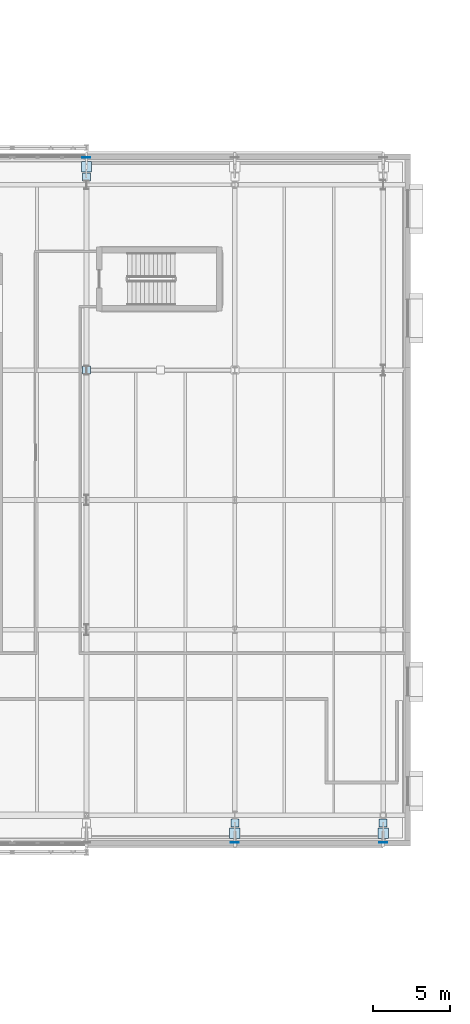
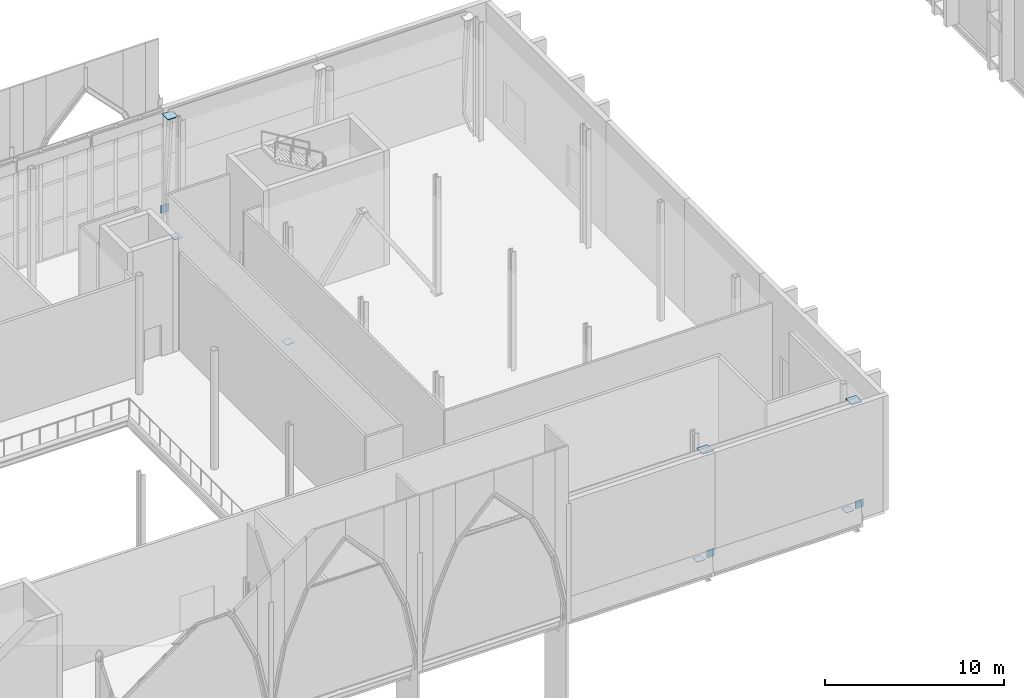
# One storey, part 49 of 79: 10 plates.
"""IFC4 building model written with IfcOpenShell, lengths in metres."""

from ifc_helpers import new_model, si_unit, direction, frame, origin, origin_2d, place, context, subcontext, project, spatial, rectangle, extrude, material, layer, layer_set, type_object, element, save


model = new_model("IFC4")

# Units and contexts
model_context = context("Model", 3, precision=1e-05, world=origin(), true_north=direction((0.0, 1.0)))
body_context = subcontext(model_context, "Body", "Model", "MODEL_VIEW")
ifc_project = project(units=[si_unit("LENGTHUNIT", "METRE"), si_unit("AREAUNIT", "SQUARE_METRE"), si_unit("VOLUMEUNIT", "CUBIC_METRE"), si_unit("PLANEANGLEUNIT", "RADIAN"), si_unit("MASSUNIT", "GRAM", prefix="KILO")], contexts=[model_context])

# Site, building, storey
site_placement = place(None, origin())
site = spatial("IfcSite", under=ifc_project, at=site_placement, CompositionType="ELEMENT")
building_placement = place(site_placement, origin())
building = spatial("IfcBuilding", under=site, at=building_placement, Name="Zereglee Splitstone Museum", CompositionType="ELEMENT")
storey_placement = place(building_placement, frame((0.0, 0.0, 9.0)))
storey = spatial("IfcBuildingStorey", under=building, at=storey_placement, Name="L02", CompositionType="ELEMENT", Elevation=9.0)

# Plates
ifc_material = material(Name="Steel S355J2", Category="steel")
ifc_layer_1 = layer(ifc_material, 0.030029296875)
ifc_layer_set_1 = layer_set([ifc_layer_1], Name="Steel S355J2")
plate_type_1 = type_object("IfcPlateType", Name="NP-04", PredefinedType="SHEET", material=ifc_layer_set_1)
for number, where, z_axis, x_axis, name in (
    (1, (126.0, 38.39990234375, 0.10498046875), (0.0, 0.0, 1.0), (1.0, 0.0, 0.0), "CBF Brace Gusset Cap L02-012"),
    (2, (135.60009765625, 9.10009765625, -0.294921875), (0.0, 0.0, 1.0), (1.0, 0.0, 0.0), "Facet Tie Seal Plate FH-V2SE"),
):
    element("IfcPlate", number, at=place(storey_placement, frame(where, z_axis=z_axis, x_axis=x_axis)), inside=storey, type_object=plate_type_1, Name=name, PredefinedType="SHEET", context=body_context, shape_type="SweptSolid", body=[
        extrude(rectangle(XDim=0.52001953125, YDim=0.52001953125, at=origin_2d()), origin(), (0.0, 0.0, 1.0), 0.030029296875),
    ])
plate_1_placement = place(storey_placement, frame((135.60009765625, 7.827392578125, 0.619873046875), z_axis=(0.0, 0.0, 1.0), x_axis=(1.0, 0.0, 0.0)))
element("IfcPlate", 3, at=plate_1_placement, inside=storey, type_object=plate_type_1, Name="Facet Tie Seal Plate FH-V2SE", PredefinedType="SHEET", context=body_context, shape_type="SweptSolid", body=[
    extrude(rectangle(XDim=0.52001953125, YDim=0.030029296875, at=origin_2d()), origin(), (0.0, 0.0, 1.0), 0.52001953125),
])
plate_2_placement = place(storey_placement, frame((145.199951171875, 9.10009765625, -0.294921875), z_axis=(0.0, 0.0, 1.0), x_axis=(1.0, 0.0, 0.0)))
element("IfcPlate", 4, at=plate_2_placement, inside=storey, type_object=plate_type_1, Name="Facet Tie Seal Plate FH-V2SE", PredefinedType="SHEET", context=body_context, shape_type="SweptSolid", body=[
    extrude(rectangle(XDim=0.52001953125, YDim=0.52001953125, at=origin_2d()), origin(), (0.0, 0.0, 1.0), 0.030029296875),
])
plate_3_placement = place(storey_placement, frame((145.199951171875, 7.827392578125, 0.619873046875), z_axis=(0.0, 0.0, 1.0), x_axis=(1.0, 0.0, 0.0)))
element("IfcPlate", 5, at=plate_3_placement, inside=storey, type_object=plate_type_1, Name="Facet Tie Seal Plate FH-V2SE", PredefinedType="SHEET", context=body_context, shape_type="SweptSolid", body=[
    extrude(rectangle(XDim=0.52001953125, YDim=0.030029296875, at=origin_2d()), origin(), (0.0, 0.0, 1.0), 0.52001953125),
])
plate_4_placement = place(storey_placement, frame((126.0, 50.89990234375, -0.294921875), z_axis=(0.0, 0.0, 1.0), x_axis=(1.0, 0.0, 0.0)))
element("IfcPlate", 6, at=plate_4_placement, inside=storey, type_object=plate_type_1, Name="Facet Tie Seal Plate FH-V2NE", PredefinedType="SHEET", context=body_context, shape_type="SweptSolid", body=[
    extrude(rectangle(XDim=0.52001953125, YDim=0.52001953125, at=origin_2d()), origin(), (0.0, 0.0, 1.0), 0.030029296875),
])
plate_5_placement = place(storey_placement, frame((126.0, 52.172607421875, 0.619873046875), z_axis=(0.0, 0.0, 1.0), x_axis=(1.0, 0.0, 0.0)))
element("IfcPlate", 7, at=plate_5_placement, inside=storey, type_object=plate_type_1, Name="Facet Tie Seal Plate FH-V2NE", PredefinedType="SHEET", context=body_context, shape_type="SweptSolid", body=[
    extrude(rectangle(XDim=0.52001953125, YDim=0.030029296875, at=origin_2d()), origin(), (0.0, 0.0, 1.0), 0.52001953125),
])
ifc_layer_2 = layer(ifc_material, 0.050048828125)
ifc_layer_set_2 = layer_set([ifc_layer_2], Name="Steel S355J2")
plate_type_2 = type_object("IfcPlateType", Name="NP-02", PredefinedType="SHEET", material=ifc_layer_set_2)
for number, where, z_axis, x_axis, name in (
    (8, (135.60009765625, 8.43798828125, 7.544921875), (0.0, 0.0, 1.0), (1.0, 0.0, 0.0), "Facet Strut Seal Plate FH-V2SE"),
    (9, (145.199951171875, 8.43798828125, 7.544921875), (0.0, 0.0, 1.0), (1.0, 0.0, 0.0), "Facet Strut Seal Plate FH-V2SE"),
    (10, (126.0, 51.56201171875, 7.544921875), (0.0, 0.0, 1.0), (1.0, 0.0, 0.0), "Facet Strut Seal Plate FH-V2NE"),
):
    element("IfcPlate", number, at=place(storey_placement, frame(where, z_axis=z_axis, x_axis=x_axis)), inside=storey, type_object=plate_type_2, Name=name, PredefinedType="SHEET", context=body_context, shape_type="SweptSolid", body=[
        extrude(rectangle(XDim=0.659912109375, YDim=0.659912109375, at=origin_2d()), origin(), (0.0, 0.0, 1.0), 0.050048828125),
    ])

save(model, "model.ifc")
